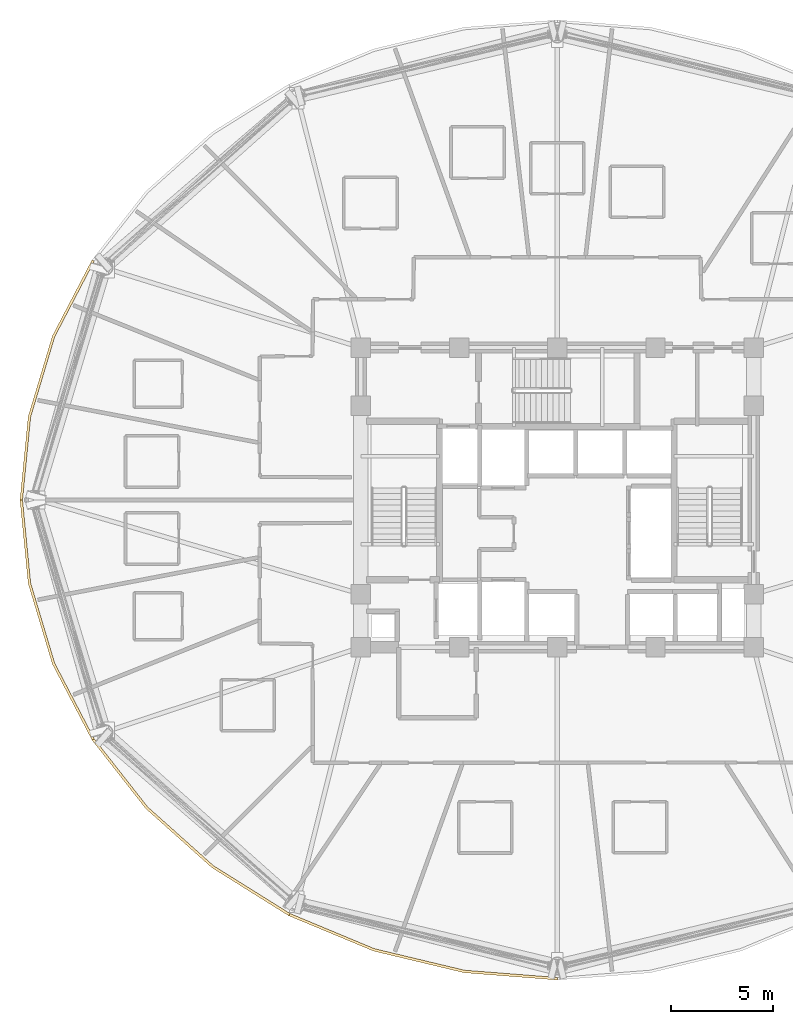
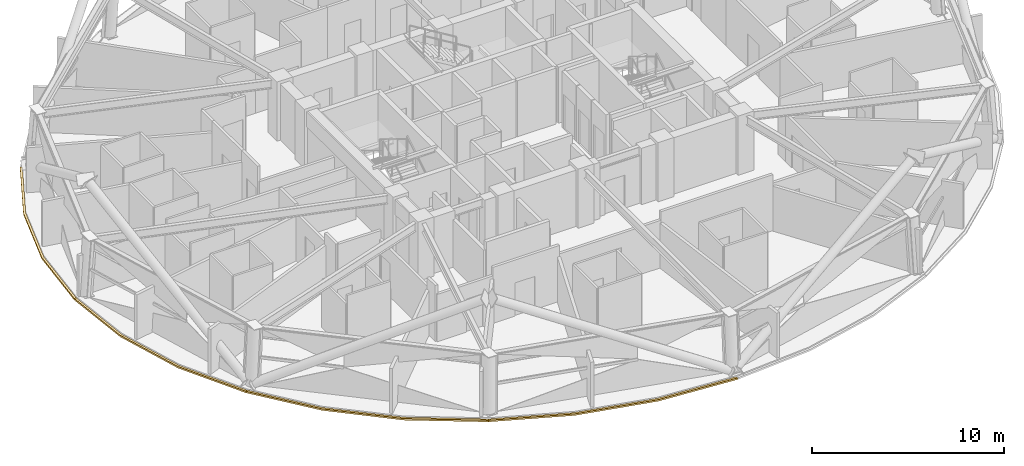
# One storey, part 11 of 14: 4 coverings.
"""IFC4 building model written with IfcOpenShell, lengths in metres."""

from ifc_helpers import new_model, si_unit, direction, frame, origin, place, context, subcontext, project, spatial, polyline, outline, extrude, material, layer, layer_set, type_object, element, save


model = new_model("IFC4")

# Units and contexts
model_context = context("Model", 3, precision=1e-05, world=origin(), true_north=direction((0.0, 1.0)))
body_context = subcontext(model_context, "Body", "Model", "MODEL_VIEW")
ifc_project = project(units=[si_unit("LENGTHUNIT", "METRE"), si_unit("AREAUNIT", "SQUARE_METRE"), si_unit("VOLUMEUNIT", "CUBIC_METRE"), si_unit("PLANEANGLEUNIT", "RADIAN"), si_unit("MASSUNIT", "GRAM", prefix="KILO")], contexts=[model_context])

# Site, building, storey
site_placement = place(None, origin())
site = spatial("IfcSite", under=ifc_project, at=site_placement, CompositionType="ELEMENT")
building_placement = place(site_placement, origin())
building = spatial("IfcBuilding", under=site, at=building_placement, Name="Vantalir Tower", CompositionType="ELEMENT")
storey_placement = place(building_placement, frame((0.0, 0.0, 112.199951171875)))
storey = spatial("IfcBuildingStorey", under=building, at=storey_placement, Name="L27", CompositionType="ELEMENT", Elevation=112.199951171875)

# Coverings
ifc_material = material(Name="Anodised champagne aluminium sill fascia", Category="aluminium")
ifc_layer = layer(ifc_material, 0.125)
ifc_layer_set = layer_set([ifc_layer], Name="Anodised champagne aluminium sill fascia")
covering_type = type_object("IfcCoveringType", Name="COV-SLAB-FASCIA-125", PredefinedType="CLADDING", material=ifc_layer_set)
covering_1_placement = place(storey_placement, frame((0.0, 0.0, -0.179931640625)))
element("IfcCovering", 1, at=covering_1_placement, inside=storey, type_object=covering_type, Name="L27 Perimeter Slab-Edge Sill Fascia 06", PredefinedType="CLADDING", context=body_context, shape_type="SweptSolid", body=[
    extrude(outline(polyline([(8.756103515625, 36.73095703125), (6.821044921875, 33.02490234375), (5.635986328125, 29.073974609375), (5.237060546875, 25.0), (5.362060546875, 25.0), (5.759033203125, 29.052978515625), (6.93798828125, 32.98193359375), (8.864013671875, 36.6689453125), (8.756103515625, 36.73095703125)])), origin(), (0.0, 0.0, 1.0), 0.10498046875),
])
covering_2_placement = place(storey_placement, frame((0.0, 0.0, -0.179931640625)))
element("IfcCovering", 2, at=covering_2_placement, inside=storey, type_object=covering_type, Name="L27 Perimeter Slab-Edge Sill Fascia 07", PredefinedType="CLADDING", context=body_context, shape_type="SweptSolid", body=[
    extrude(outline(polyline([(5.237060546875, 25.0), (5.635986328125, 20.926025390625), (6.821044921875, 16.97509765625), (8.756103515625, 13.26806640625), (8.864013671875, 13.3310546875), (6.93798828125, 17.01806640625), (5.759033203125, 20.947021484375), (5.362060546875, 25.0), (5.237060546875, 25.0)])), origin(), (0.0, 0.0, 1.0), 0.10498046875),
])
covering_3_placement = place(storey_placement, frame((0.0, 0.0, -0.179931640625)))
element("IfcCovering", 3, at=covering_3_placement, inside=storey, type_object=covering_type, Name="L27 Perimeter Slab-Edge Sill Fascia 08", PredefinedType="CLADDING", context=body_context, shape_type="SweptSolid", body=[
    extrude(outline(polyline([(8.756103515625, 13.26806640625), (11.381103515625, 9.91796875), (14.617919921875, 7.02587890625), (18.367919921875, 4.679931640625), (18.430908203125, 4.7890625), (14.698974609375, 7.1220703125), (11.47705078125, 9.9990234375), (8.864013671875, 13.3310546875), (8.756103515625, 13.26806640625)])), origin(), (0.0, 0.0, 1.0), 0.10498046875),
])
covering_4_placement = place(storey_placement, frame((0.0, 0.0, -0.179931640625)))
element("IfcCovering", 4, at=covering_4_placement, inside=storey, type_object=covering_type, Name="L27 Perimeter Slab-Edge Sill Fascia 09", PredefinedType="CLADDING", context=body_context, shape_type="SweptSolid", body=[
    extrude(outline(polyline([(18.367919921875, 4.679931640625), (22.51806640625, 2.951904296875), (26.93896484375, 1.89306640625), (31.5, 1.537109375), (31.5, 1.662109375), (26.9609375, 2.01708984375), (22.56005859375, 3.069091796875), (18.430908203125, 4.7890625), (18.367919921875, 4.679931640625)])), origin(), (0.0, 0.0, 1.0), 0.10498046875),
])

save(model, "model.ifc")
